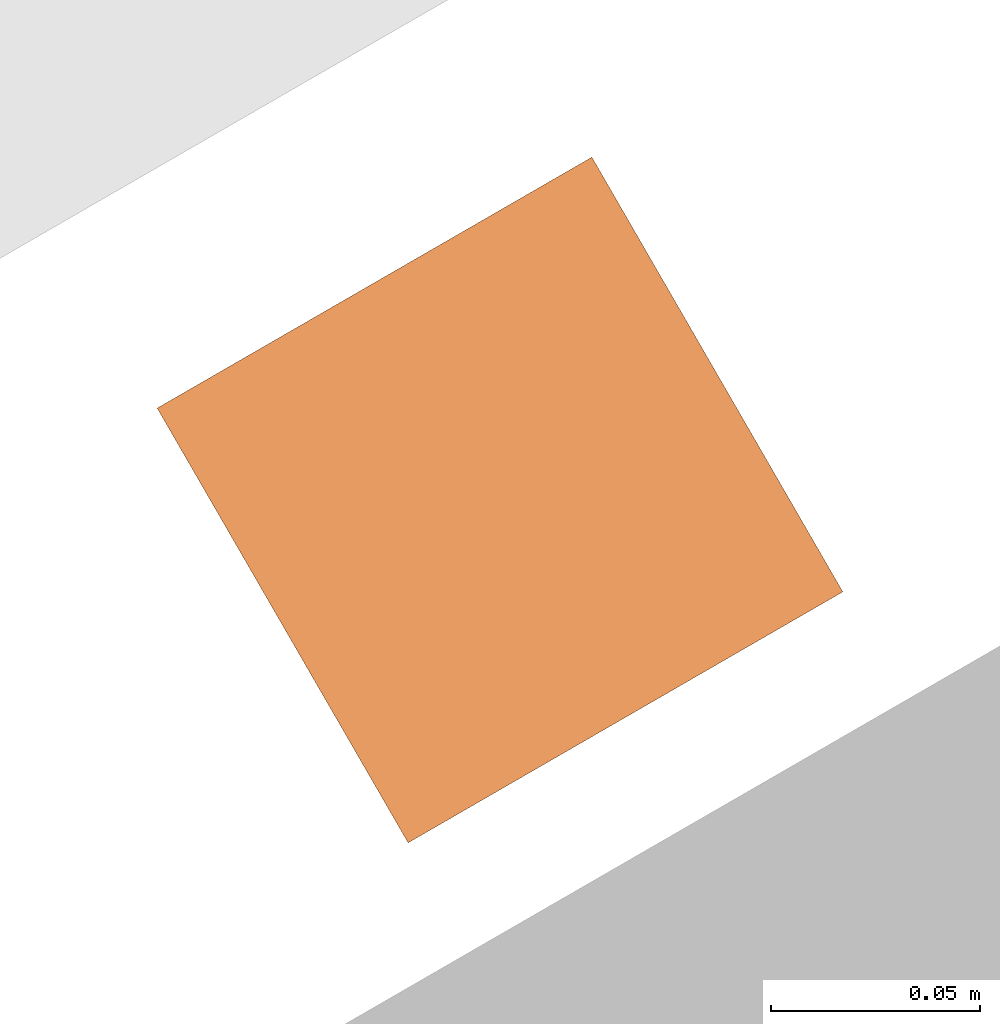
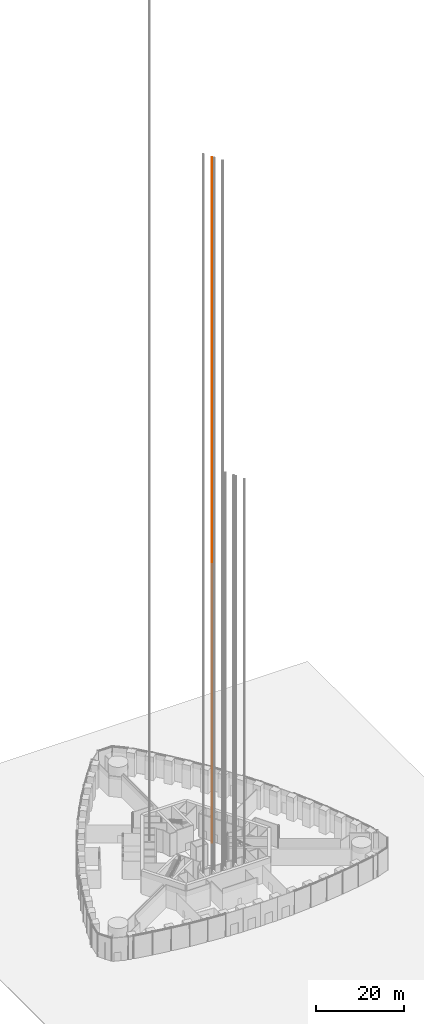
# One storey, part 41 of 43: 1 proxy.
"""IFC4 building model written with IfcOpenShell, lengths in metres."""

from ifc_helpers import new_model, si_unit, direction, frame, origin, origin_2d, place, context, subcontext, project, spatial, rectangle, extrude, element, save


model = new_model("IFC4")

# Units and contexts
model_context = context("Model", 3, precision=1e-05, world=origin(), true_north=direction((0.0, 1.0)))
body_context = subcontext(model_context, "Body", "Model", "MODEL_VIEW")
ifc_project = project(units=[si_unit("LENGTHUNIT", "METRE"), si_unit("AREAUNIT", "SQUARE_METRE"), si_unit("VOLUMEUNIT", "CUBIC_METRE"), si_unit("PLANEANGLEUNIT", "RADIAN"), si_unit("MASSUNIT", "GRAM", prefix="KILO")], contexts=[model_context])

# Site, building, storey
site_placement = place(None, origin())
site = spatial("IfcSite", under=ifc_project, at=site_placement, CompositionType="ELEMENT")
building_placement = place(site_placement, origin())
building = spatial("IfcBuilding", under=site, at=building_placement, Name="Trefoil Bronze Tower", CompositionType="ELEMENT")
storey_placement = place(building_placement, origin())
storey = spatial("IfcBuildingStorey", under=building, at=storey_placement, Name="L00", CompositionType="ELEMENT", Elevation=0.0)

# Proxy
proxy_placement = place(storey_placement, frame((8.21435546875, 8.397216796875, -1.60009765625), z_axis=(0.0, 0.0, 1.0), x_axis=(-0.5, 0.866025403784, 0.0)))
element("IfcBuildingElementProxy", 1, at=proxy_placement, inside=storey, Name="Lift S4 guide rail 1", ObjectType="LIFT GUIDE RAIL", PredefinedType="USERDEFINED", context=body_context, shape_type="SweptSolid", body=[
    extrude(rectangle(XDim=0.1201171875, YDim=0.1201171875, at=origin_2d()), origin(), (0.0, 0.0, 1.0), 190.75),
])

save(model, "model.ifc")
